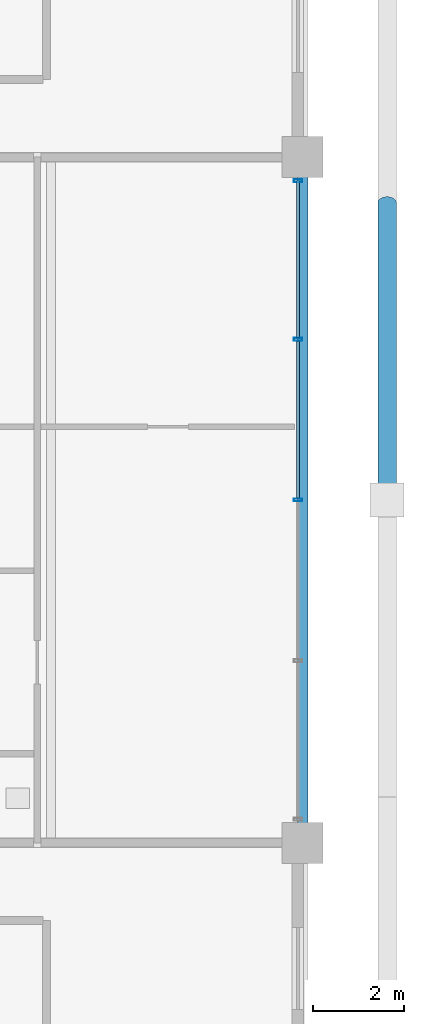
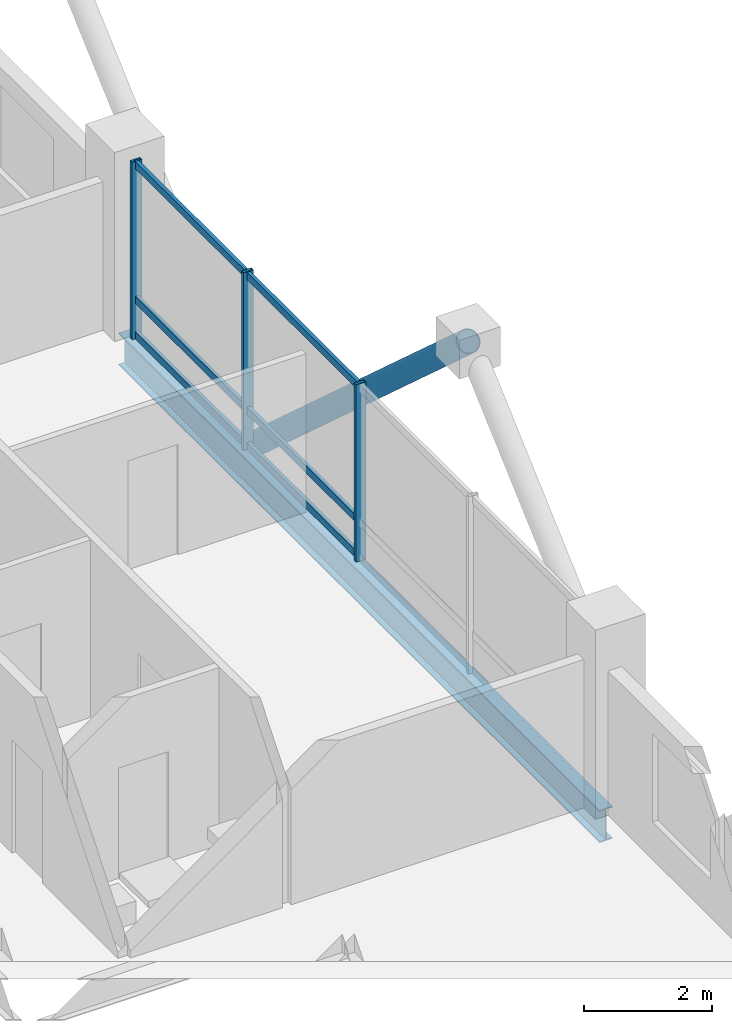
# One storey, part 12 of 24: 10 members, 1 beam, 1 element without a shape of its own.
"""IFC4 building model written with IfcOpenShell, lengths in metres."""

from ifc_helpers import new_model, si_unit, direction, frame, origin, origin_2d, place, context, subcontext, project, spatial, hollow_rectangle, hollow_circle, i_section, extrude, material, layer, layer_set, material_profile, profile_set, type_object, element, aggregate, save


model = new_model("IFC4")

# Units and contexts
model_context = context("Model", 3, precision=1e-05, world=origin(), true_north=direction((0.0, 1.0)))
body_context = subcontext(model_context, "Body", "Model", "MODEL_VIEW")
ifc_project = project(units=[si_unit("LENGTHUNIT", "METRE"), si_unit("AREAUNIT", "SQUARE_METRE"), si_unit("VOLUMEUNIT", "CUBIC_METRE"), si_unit("PLANEANGLEUNIT", "RADIAN"), si_unit("MASSUNIT", "GRAM", prefix="KILO")], contexts=[model_context])

# Site, building, storey
site_placement = place(None, origin())
site = spatial("IfcSite", under=ifc_project, at=site_placement, CompositionType="ELEMENT")
building_placement = place(site_placement, origin())
building = spatial("IfcBuilding", under=site, at=building_placement, Name="Barlavira Tower and Art Museum", CompositionType="ELEMENT")
storey_placement = place(building_placement, frame((0.0, 0.0, 225.89990234375)))
storey = spatial("IfcBuildingStorey", under=building, at=storey_placement, Name="L58", CompositionType="ELEMENT", Elevation=225.89990234375)

# Curtain wall, members
ifc_material_1 = material(Name="Low-iron coastal laminated glass", Category="glass")
ifc_layer = layer(ifc_material_1, 0.2099609375, Name="Low-iron coastal laminated glass")
ifc_layer_set = layer_set([ifc_layer], Name="Low-iron coastal laminated glass")
curtain_wall_type = type_object("IfcCurtainWallType", Name="Pale-Metal Unitised Curtain Wall Zone 4", PredefinedType="NOTDEFINED", material=ifc_layer_set)
curtain_wall_placement = place(storey_placement, origin())
curtain_wall = element("IfcCurtainWall", 1, at=curtain_wall_placement, inside=storey, type_object=curtain_wall_type, Name="L58 Curtain Wall CW4-L58-E-B3", PredefinedType="NOTDEFINED")
ifc_material_2 = material(Name="Pale anodised aluminium", Category="aluminium")
ifc_material_profile_1 = material_profile(ifc_material_2, hollow_rectangle(XDim=0.06494140625, YDim=0.179931640625, WallThickness=0.00390625, at=origin_2d()), Name="ALU-MULL 65x180x4")
ifc_profile_set_1 = profile_set([ifc_material_profile_1], Name="Pale anodised aluminium")
member_type_1 = type_object("IfcMemberType", Name="Curtain Wall Pale-Metal Mullion 65x180", PredefinedType="MULLION", material=ifc_profile_set_1)
member_1_placement = place(storey_placement, frame((16.89990234375, 0.0, 0.0), z_axis=(0.0, 0.0, 1.0), x_axis=(0.0, 1.0, 0.0)))
member_1 = element("IfcMember", 2, at=member_1_placement, type_object=member_type_1, Name="CW4-L58-E-B3 Mullion 2", PredefinedType="MULLION", context=body_context, shape_type="SweptSolid", body=[
    extrude(hollow_rectangle(XDim=0.06494140625, YDim=0.179931640625, WallThickness=0.00390625, at=origin_2d()), origin(), (0.0, 0.0, 1.0), 3.380126953125),
])
member_2_placement = place(storey_placement, frame((16.89990234375, 3.514892578125, 0.0), z_axis=(0.0, 0.0, 1.0), x_axis=(0.0, 1.0, 0.0)))
member_2 = element("IfcMember", 3, at=member_2_placement, type_object=member_type_1, Name="CW4-L58-E-B3 Mullion 3", PredefinedType="MULLION", context=body_context, shape_type="SweptSolid", body=[
    extrude(hollow_rectangle(XDim=0.06494140625, YDim=0.179931640625, WallThickness=0.00390625, at=origin_2d()), origin(), (0.0, 0.0, 1.0), 3.380126953125),
])
member_3_placement = place(storey_placement, frame((16.89990234375, 6.985107421875, 0.0), z_axis=(0.0, 0.0, 1.0), x_axis=(0.0, 1.0, 0.0)))
member_3 = element("IfcMember", 4, at=member_3_placement, type_object=member_type_1, Name="CW4-L58-E-B3 Mullion 4", PredefinedType="MULLION", context=body_context, shape_type="SweptSolid", body=[
    extrude(hollow_rectangle(XDim=0.06494140625, YDim=0.179931640625, WallThickness=0.00390625, at=origin_2d()), origin(), (0.0, 0.0, 1.0), 3.380126953125),
])
ifc_material_profile_2 = material_profile(ifc_material_2, hollow_rectangle(XDim=0.06494140625, YDim=0.139892578125, WallThickness=0.00390625, at=origin_2d()), Name="ALU-TRAN 65x140x4")
ifc_profile_set_2 = profile_set([ifc_material_profile_2], Name="Pale anodised aluminium")
member_type_2 = type_object("IfcMemberType", Name="Curtain Wall Pale-Metal Transom 65x140", PredefinedType="USERDEFINED", material=ifc_profile_set_2)
member_4_placement = place(storey_placement, frame((16.89990234375, 0.044921875, 0.070068359375), z_axis=(0.0, 1.0, 0.0), x_axis=(-1.0, 0.0, 0.0)))
member_4 = element("IfcMember", 5, at=member_4_placement, type_object=member_type_2, Name="CW4-L58-E-B3 Transom 2.1", ObjectType="TRANSOM", PredefinedType="USERDEFINED", context=body_context, shape_type="SweptSolid", body=[
    extrude(hollow_rectangle(XDim=0.06494140625, YDim=0.139892578125, WallThickness=0.00390625, at=origin_2d()), origin(), (0.0, 0.0, 1.0), 3.425048828125),
])
member_5_placement = place(storey_placement, frame((16.89990234375, 0.044921875, 0.744140625), z_axis=(0.0, 1.0, 0.0), x_axis=(-1.0, 0.0, 0.0)))
member_5 = element("IfcMember", 6, at=member_5_placement, type_object=member_type_2, Name="CW4-L58-E-B3 Transom 2.2", ObjectType="TRANSOM", PredefinedType="USERDEFINED", context=body_context, shape_type="SweptSolid", body=[
    extrude(hollow_rectangle(XDim=0.06494140625, YDim=0.139892578125, WallThickness=0.00390625, at=origin_2d()), origin(), (0.0, 0.0, 1.0), 3.425048828125),
])
member_6_placement = place(storey_placement, frame((16.89990234375, 0.044921875, 3.31005859375), z_axis=(0.0, 1.0, 0.0), x_axis=(-1.0, 0.0, 0.0)))
member_6 = element("IfcMember", 7, at=member_6_placement, type_object=member_type_2, Name="CW4-L58-E-B3 Transom 2.3", ObjectType="TRANSOM", PredefinedType="USERDEFINED", context=body_context, shape_type="SweptSolid", body=[
    extrude(hollow_rectangle(XDim=0.06494140625, YDim=0.139892578125, WallThickness=0.00390625, at=origin_2d()), origin(), (0.0, 0.0, 1.0), 3.425048828125),
])
member_7_placement = place(storey_placement, frame((16.89990234375, 3.56005859375, 0.070068359375), z_axis=(0.0, 1.0, 0.0), x_axis=(-1.0, 0.0, 0.0)))
member_7 = element("IfcMember", 8, at=member_7_placement, type_object=member_type_2, Name="CW4-L58-E-B3 Transom 3.1", ObjectType="TRANSOM", PredefinedType="USERDEFINED", context=body_context, shape_type="SweptSolid", body=[
    extrude(hollow_rectangle(XDim=0.06494140625, YDim=0.139892578125, WallThickness=0.00390625, at=origin_2d()), origin(), (0.0, 0.0, 1.0), 3.425048828125),
])
member_8_placement = place(storey_placement, frame((16.89990234375, 3.56005859375, 0.744140625), z_axis=(0.0, 1.0, 0.0), x_axis=(-1.0, 0.0, 0.0)))
member_8 = element("IfcMember", 9, at=member_8_placement, type_object=member_type_2, Name="CW4-L58-E-B3 Transom 3.2", ObjectType="TRANSOM", PredefinedType="USERDEFINED", context=body_context, shape_type="SweptSolid", body=[
    extrude(hollow_rectangle(XDim=0.06494140625, YDim=0.139892578125, WallThickness=0.00390625, at=origin_2d()), origin(), (0.0, 0.0, 1.0), 3.425048828125),
])
member_9_placement = place(storey_placement, frame((16.89990234375, 3.56005859375, 3.31005859375), z_axis=(0.0, 1.0, 0.0), x_axis=(-1.0, 0.0, 0.0)))
member_9 = element("IfcMember", 10, at=member_9_placement, type_object=member_type_2, Name="CW4-L58-E-B3 Transom 3.3", ObjectType="TRANSOM", PredefinedType="USERDEFINED", context=body_context, shape_type="SweptSolid", body=[
    extrude(hollow_rectangle(XDim=0.06494140625, YDim=0.139892578125, WallThickness=0.00390625, at=origin_2d()), origin(), (0.0, 0.0, 1.0), 3.425048828125),
])
aggregate(curtain_wall, [member_1, member_2, member_3, member_4, member_5, member_6, member_7, member_8, member_9])

# Member
ifc_material_3 = material(Name="Steel S355", Category="steel")
ifc_material_profile_3 = material_profile(ifc_material_3, hollow_circle(Radius=0.203125, WallThickness=0.01611328125, at=origin_2d()), Name="CHS 406.4x16.0")
ifc_profile_set_3 = profile_set([ifc_material_profile_3], Name="Steel S355")
member_type_3 = type_object("IfcMemberType", Name="Pale-Metal Exoskeleton Diagrid Tube CHS 406x16 Steel S355", PredefinedType="BRACE", material=ifc_profile_set_3)
member_10_placement = place(storey_placement, frame((18.85009765625, 6.5, -2.369873046875), z_axis=(0.0, -0.74330247547, 0.668955476815), x_axis=(1.0, 0.0, 0.0)))
element("IfcMember", 11, at=member_10_placement, inside=storey, type_object=member_type_3, Name="L58 Exoskeleton Diagrid Tube E", PredefinedType="BRACE", context=body_context, shape_type="SweptSolid", body=[
    extrude(hollow_circle(Radius=0.203125, WallThickness=0.01611328125, at=origin_2d()), origin(), (0.0, 0.0, 1.0), 8.744873046875),
])

# Beam
ifc_material_profile_4 = material_profile(ifc_material_3, i_section(OverallWidth=0.22998046875, OverallDepth=0.616943359375, WebThickness=0.01318359375, FlangeThickness=0.022216796875, at=origin_2d()), Name="W610x140.0")
ifc_profile_set_4 = profile_set([ifc_material_profile_4], Name="Steel S355")
beam_type = type_object("IfcBeamType", Name="Upper Shaft Spandrel Edge Beam W610x140 Steel S355", PredefinedType="SPANDREL", material=ifc_profile_set_4)
beam_placement = place(storey_placement, frame((17.0, -7.5, -0.5283203125), z_axis=(0.0, 1.0, 0.0), x_axis=(-1.0, 0.0, 0.0)))
element("IfcBeam", 12, at=beam_placement, inside=storey, type_object=beam_type, Name="L58 Spandrel 6", PredefinedType="SPANDREL", context=body_context, shape_type="SweptSolid", body=[
    extrude(i_section(OverallWidth=0.22998046875, OverallDepth=0.616943359375, WebThickness=0.01318359375, FlangeThickness=0.022216796875, at=origin_2d()), origin(), (0.0, 0.0, 1.0), 15.0),
])

save(model, "model.ifc")
